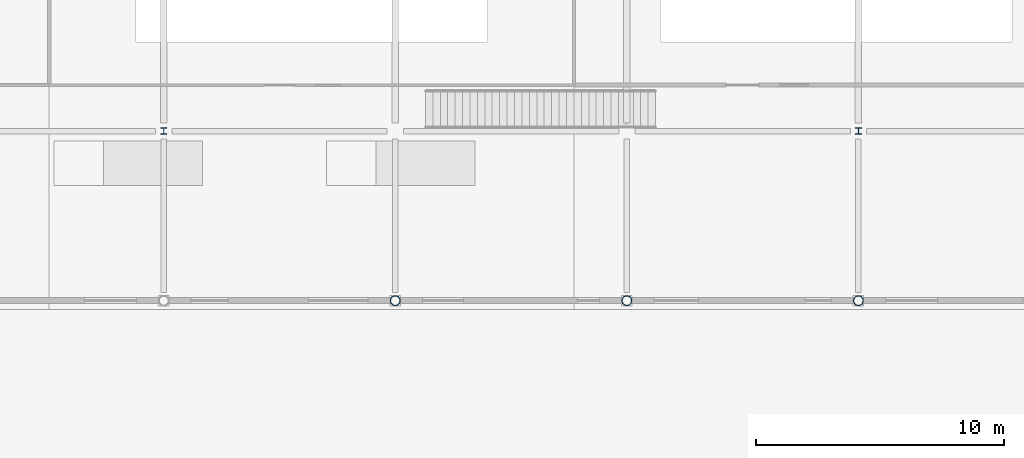
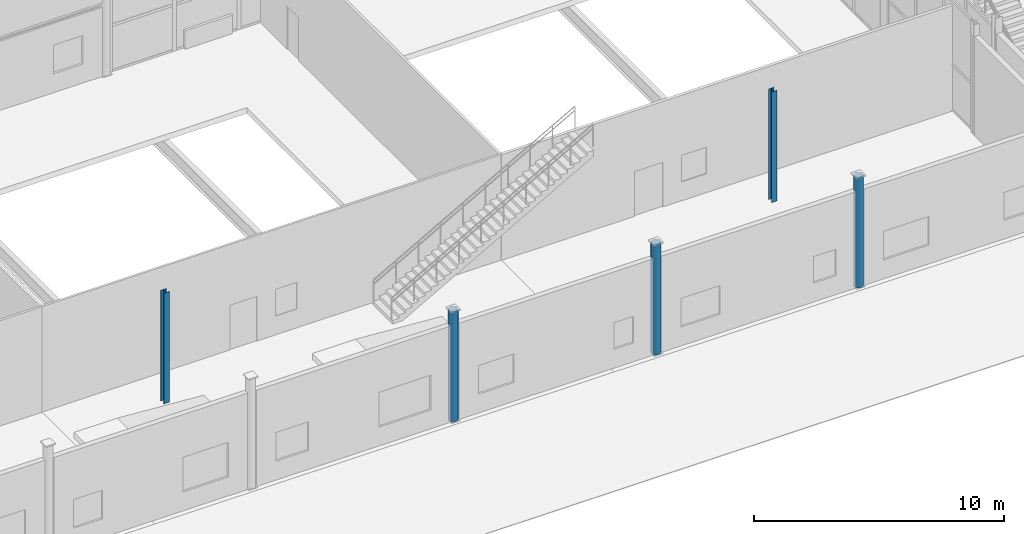
# One storey, part 7 of 83: 5 columns.
"""IFC4 building model written with IfcOpenShell, lengths in metres."""

from ifc_helpers import new_model, si_unit, direction, frame, origin, origin_2d, place, context, subcontext, project, spatial, hollow_circle, i_section, extrude, material, material_profile, profile_set, type_object, element, save


model = new_model("IFC4")

# Units and contexts
model_context = context("Model", 3, precision=1e-05, world=origin(), true_north=direction((0.0, 1.0)))
body_context = subcontext(model_context, "Body", "Model", "MODEL_VIEW")
ifc_project = project(units=[si_unit("LENGTHUNIT", "METRE"), si_unit("AREAUNIT", "SQUARE_METRE"), si_unit("VOLUMEUNIT", "CUBIC_METRE"), si_unit("PLANEANGLEUNIT", "RADIAN"), si_unit("MASSUNIT", "GRAM", prefix="KILO")], contexts=[model_context])

# Site, building, storey
site_placement = place(None, origin())
site = spatial("IfcSite", under=ifc_project, at=site_placement, CompositionType="ELEMENT")
building_placement = place(site_placement, origin())
building = spatial("IfcBuilding", under=site, at=building_placement, Name="Quillay Park Conservatory", CompositionType="ELEMENT")
storey_placement = place(building_placement, origin())
storey = spatial("IfcBuildingStorey", under=building, at=storey_placement, Name="L00", CompositionType="ELEMENT", Elevation=0.0)

# Columns
ifc_material_1 = material(Name="Steel S355J2H", Category="steel")
ifc_material_profile_1 = material_profile(ifc_material_1, hollow_circle(Radius=0.203125, WallThickness=0.01611328125, at=origin_2d()), Name="CHS406.4x16")
ifc_profile_set_1 = profile_set([ifc_material_profile_1], Name="Steel S355J2H")
column_type_1 = type_object("IfcColumnType", Name="COMPOSITE STEEL COLUMN CHS406", PredefinedType="COLUMN", material=ifc_profile_set_1)
for number, where, z_axis, x_axis, name in (
    (1, (86.783203125, 85.550048828125, 0.0), (0.0, 0.0, 1.0), (1.0, 0.0, 0.0), "L00 column COL-V1-L00-6-0"),
    (2, (96.138916015625, 85.550048828125, 0.0), (0.0, 0.0, 1.0), (1.0, 0.0, 0.0), "L00 column COL-V1-L00-7-0"),
    (3, (105.494384765625, 85.550048828125, 0.0), (0.0, 0.0, 1.0), (1.0, 0.0, 0.0), "L00 column COL-V1-L00-8-0"),
):
    element("IfcColumn", number, at=place(storey_placement, frame(where, z_axis=z_axis, x_axis=x_axis)), inside=storey, type_object=column_type_1, Name=name, PredefinedType="COLUMN", context=body_context, shape_type="SweptSolid", body=[
        extrude(hollow_circle(Radius=0.203125, WallThickness=0.01611328125, at=origin_2d()), origin(), (0.0, 0.0, 1.0), 5.39990234375),
    ])
ifc_material_2 = material(Name="Steel ASTM A992 Grade 50", Category="steel")
ifc_material_profile_2 = material_profile(ifc_material_2, i_section(OverallWidth=0.256103515625, OverallDepth=0.260009765625, WebThickness=0.0107421875, FlangeThickness=0.017333984375, FilletRadius=0.012939453125, at=origin_2d()), Name="W250x89")
ifc_profile_set_2 = profile_set([ifc_material_profile_2], Name="Steel ASTM A992 Grade 50")
column_type_2 = type_object("IfcColumnType", Name="COMPOSITE STEEL COLUMN W250 X89", PredefinedType="COLUMN", material=ifc_profile_set_2)
for number, where, z_axis, x_axis, name in (
    (4, (77.427734375, 92.39990234375, 0.0), (0.0, 0.0, 1.0), (1.0, 0.0, 0.0), "L00 column COL-V1-WK-5"),
    (5, (105.494384765625, 92.39990234375, 0.0), (0.0, 0.0, 1.0), (1.0, 0.0, 0.0), "L00 column COL-V1-WK-8"),
):
    element("IfcColumn", number, at=place(storey_placement, frame(where, z_axis=z_axis, x_axis=x_axis)), inside=storey, type_object=column_type_2, Name=name, PredefinedType="COLUMN", context=body_context, shape_type="SweptSolid", body=[
        extrude(i_section(OverallWidth=0.256103515625, OverallDepth=0.260009765625, WebThickness=0.0107421875, FlangeThickness=0.017333984375, FilletRadius=0.012939453125, at=origin_2d()), origin(), (0.0, 0.0, 1.0), 5.39990234375),
    ])

save(model, "model.ifc")
